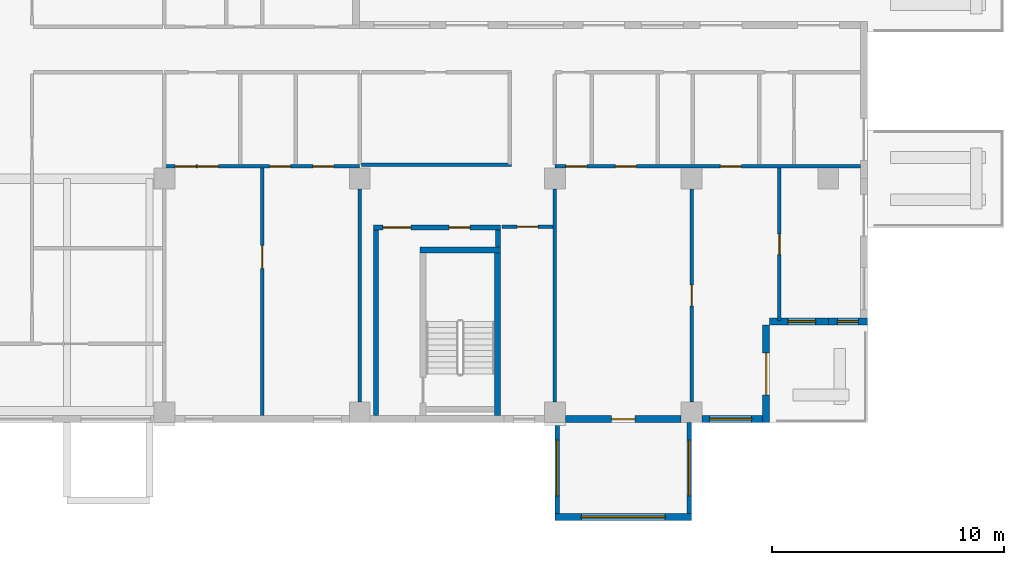
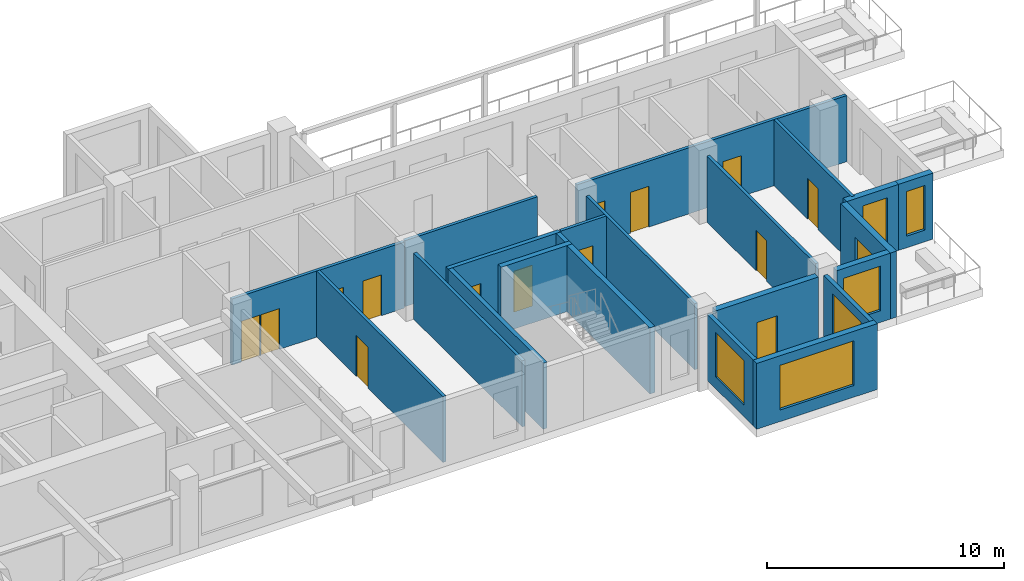
# One storey, part 6 of 15: 22 walls, 15 doors, 6 windows, 21 openings.
"""IFC4 building model written with IfcOpenShell, lengths in metres."""

from ifc_helpers import new_model, si_unit, direction, frame, frame_2d, origin, place, context, subcontext, project, spatial, rectangle, extrude, source, transform, mapped, material, layer, layer_set, type_object, element, fill, save


model = new_model("IFC4")

# Units and contexts
model_context = context("Model", 3, precision=1e-05, world=origin(), true_north=direction((0.0, 1.0)))
body_context = subcontext(model_context, "Body", "Model", "MODEL_VIEW")
ifc_project = project(units=[si_unit("LENGTHUNIT", "METRE"), si_unit("AREAUNIT", "SQUARE_METRE"), si_unit("VOLUMEUNIT", "CUBIC_METRE"), si_unit("PLANEANGLEUNIT", "RADIAN"), si_unit("MASSUNIT", "GRAM", prefix="KILO")], contexts=[model_context])

# Site, building, storey
site_placement = place(None, origin())
site = spatial("IfcSite", under=ifc_project, at=site_placement, CompositionType="ELEMENT")
building_placement = place(site_placement, origin())
building = spatial("IfcBuilding", under=site, at=building_placement, Name="Aurelian Terraces", CompositionType="ELEMENT")
storey_placement = place(building_placement, frame((0.0, 0.0, 177.8)))
storey = spatial("IfcBuildingStorey", under=building, at=storey_placement, Name="L38", CompositionType="ELEMENT", Elevation=177.8)

# Wall, opening, window
ifc_material_1 = material(Name="Concrete fc' 40 MPa", Category="concrete")
ifc_layer_1 = layer(ifc_material_1, 0.2)
ifc_layer_set_1 = layer_set([ifc_layer_1], Name="BOX BEARING WALL 200")
wall_type_1 = type_object("IfcWallType", Name="BOX BEARING WALL 200", PredefinedType="SOLIDWALL", material=ifc_layer_set_1)
wall_1_placement = place(storey_placement, frame((46.3, 0.0, 0.0), z_axis=(0.0, 0.0, 1.0), x_axis=(0.0, -1.0, 0.0)))
wall_1 = element("IfcWall", 1, at=wall_1_placement, inside=storey, type_object=wall_type_1, Name="Box return L38 J51.1", PredefinedType="SOLIDWALL", context=body_context, shape_type="SweptSolid", body=[
    extrude(rectangle(XDim=3.9, YDim=0.2, at=frame_2d((1.95, 0.0))), origin(), (0.0, 0.0, 1.0), 3.39),
])
opening_1_placement = place(wall_1_placement, frame((0.75, 0.0, 0.6)))
opening_1 = element("IfcOpeningElement", 2, at=opening_1_placement, cuts=wall_1, Name="Opening W2423", PredefinedType="OPENING", context=body_context, shape_type="SweptSolid", body=[
    extrude(rectangle(XDim=2.4, YDim=2.3, at=frame_2d((1.2, 1.15))), frame((0.0, 0.11, 0.0), z_axis=(0.0, -1.0, 0.0), x_axis=(1.0, 0.0, 0.0)), (0.0, 0.0, 1.0), 0.22),
])
ifc_material_2 = material(Name="Clear glazing", Category="glass")
window_type_1 = type_object("IfcWindowType", Name="W-2400x2300", PartitioningType="SINGLE_PANEL", PredefinedType="WINDOW", material=ifc_material_2)
shared_shape_1 = source(origin(), body_context, "Body", "SweptSolid", [
    extrude(rectangle(XDim=2.4, YDim=2.3, at=frame_2d((1.2, 1.15))), frame((0.0, 0.03, 0.0), z_axis=(0.0, -1.0, 0.0), x_axis=(1.0, 0.0, 0.0)), (0.0, 0.0, 1.0), 0.06),
])
window_1_placement = place(opening_1_placement, origin())
window_1 = element("IfcWindow", 3, at=window_1_placement, inside=storey, type_object=window_type_1, Name="Window L38 J51-S1", OverallHeight=2.3, OverallWidth=2.4, PartitioningType="SINGLE_PANEL", PredefinedType="WINDOW", context=body_context, shape_type="MappedRepresentation", body=[
    mapped(shared_shape_1, transform((0.0, 0.0, 0.0), scale=1.0)),
])
fill(opening_1, window_1)

ifc_layer_2 = layer(ifc_material_1, 0.3)
ifc_layer_set_2 = layer_set([ifc_layer_2], Name="BOX BEARING WALL 300")
wall_type_2 = type_object("IfcWallType", Name="BOX BEARING WALL 300", PredefinedType="SOLIDWALL", material=ifc_layer_set_2)
wall_2_placement = place(storey_placement, frame((46.2, -4.05, 0.0), z_axis=(0.0, 0.0, 1.0), x_axis=(1.0, 0.0, 0.0)))
wall_2 = element("IfcWall", 4, at=wall_2_placement, inside=storey, type_object=wall_type_2, Name="Box wall L38 J51", PredefinedType="SOLIDWALL", context=body_context, shape_type="SweptSolid", body=[
    extrude(rectangle(XDim=5.88, YDim=0.3, at=frame_2d((2.94, 0.0))), origin(), (0.0, 0.0, 1.0), 3.39),
])
shared_shape_2 = source(origin(), body_context, "Body", "SweptSolid", [
    extrude(rectangle(XDim=3.6, YDim=2.3, at=frame_2d((1.8, 1.15))), frame((0.0, 0.16, 0.0), z_axis=(0.0, -1.0, 0.0), x_axis=(1.0, 0.0, 0.0)), (0.0, 0.0, 1.0), 0.32),
])
opening_2_placement = place(wall_2_placement, frame((1.14, 0.0, 0.6)))
opening_2 = element("IfcOpeningElement", 5, at=opening_2_placement, cuts=wall_2, Name="Opening W3623", PredefinedType="OPENING", context=body_context, shape_type="MappedRepresentation", body=[
    mapped(shared_shape_2, transform((0.0, 0.0, 0.0), scale=1.0)),
])
window_type_2 = type_object("IfcWindowType", Name="W-3600x2300", PartitioningType="SINGLE_PANEL", PredefinedType="WINDOW", material=ifc_material_2)
shared_shape_3 = source(origin(), body_context, "Body", "SweptSolid", [
    extrude(rectangle(XDim=3.6, YDim=2.3, at=frame_2d((1.8, 1.15))), frame((0.0, 0.03, 0.0), z_axis=(0.0, -1.0, 0.0), x_axis=(1.0, 0.0, 0.0)), (0.0, 0.0, 1.0), 0.06),
])
window_2_placement = place(opening_2_placement, origin())
window_2 = element("IfcWindow", 6, at=window_2_placement, inside=storey, type_object=window_type_2, Name="Window L38 J51-F1", OverallHeight=2.3, OverallWidth=3.6, PartitioningType="SINGLE_PANEL", PredefinedType="WINDOW", context=body_context, shape_type="MappedRepresentation", body=[
    mapped(shared_shape_3, transform((0.0, 0.0, 0.0), scale=1.0)),
])
fill(opening_2, window_2)

# Wall
ifc_material_3 = material(Name="Gypsum board on steel studs", Category="steel")
ifc_layer_3 = layer(ifc_material_3, 0.2)
ifc_layer_set_3 = layer_set([ifc_layer_3], Name="Core partition 200")
wall_type_3 = type_object("IfcWallType", Name="Core partition 200", PredefinedType="PARTITIONING", material=ifc_layer_set_3)
wall_3_placement = place(storey_placement, frame((38.5, 0.3, 0.0), z_axis=(0.0, 0.0, 1.0), x_axis=(0.0, 1.0, 0.0)))
element("IfcWall", 7, at=wall_3_placement, inside=storey, type_object=wall_type_3, Name="L38 core wall ST-S2-VW", PredefinedType="PARTITIONING", context=body_context, shape_type="SweptSolid", body=[
    extrude(rectangle(XDim=8.0, YDim=0.2, at=frame_2d((4.0, 0.0))), origin(), (0.0, 0.0, 1.0), 3.4),
])

# Wall, openings, doors
wall_4_placement = place(storey_placement, frame((38.4, 8.4, 0.0), z_axis=(0.0, 0.0, 1.0), x_axis=(1.0, 0.0, 0.0)))
wall_4 = element("IfcWall", 8, at=wall_4_placement, inside=storey, type_object=wall_type_3, Name="L38 core wall ST-S2-BN", PredefinedType="PARTITIONING", context=body_context, shape_type="SweptSolid", body=[
    extrude(rectangle(XDim=5.45, YDim=0.2, at=frame_2d((2.725, 0.0))), origin(), (0.0, 0.0, 1.0), 3.4),
])
shared_shape_4 = source(origin(), body_context, "Body", "SweptSolid", [
    extrude(rectangle(XDim=1.2, YDim=2.1, at=frame_2d((0.6, 1.05))), frame((0.0, 0.11, 0.0), z_axis=(0.0, -1.0, 0.0), x_axis=(1.0, 0.0, 0.0)), (0.0, 0.0, 1.0), 0.22),
])
opening_3_placement = place(wall_4_placement, frame((0.4, 0.0, 0.0)))
opening_3 = element("IfcOpeningElement", 9, at=opening_3_placement, cuts=wall_4, Name="Opening 64116", PredefinedType="OPENING", context=body_context, shape_type="MappedRepresentation", body=[
    mapped(shared_shape_4, transform((0.0, 0.0, 0.0), scale=1.0)),
])
shared_shape_5 = source(origin(), body_context, "Body", "SweptSolid", [
    extrude(rectangle(XDim=0.9, YDim=2.1, at=frame_2d((0.45, 1.05))), frame((0.0, 0.11, 0.0), z_axis=(0.0, -1.0, 0.0), x_axis=(1.0, 0.0, 0.0)), (0.0, 0.0, 1.0), 0.22),
])
opening_4_placement = place(wall_4_placement, frame((3.25, 0.0, 0.0)))
opening_4 = element("IfcOpeningElement", 10, at=opening_4_placement, cuts=wall_4, Name="Opening 64117", PredefinedType="OPENING", context=body_context, shape_type="MappedRepresentation", body=[
    mapped(shared_shape_5, transform((0.0, 0.0, 0.0), scale=1.0)),
])
ifc_material_4 = material(Name="Steel door leaf", Category="steel")
door_type_1 = type_object("IfcDoorType", Name="Core riser door 900x2100", OperationType="SINGLE_SWING_LEFT", PredefinedType="DOOR", material=ifc_material_4)
shared_shape_6 = source(origin(), body_context, "Body", "SweptSolid", [
    extrude(rectangle(XDim=0.9, YDim=2.1, at=frame_2d((0.45, 1.05))), frame((0.0, 0.025, 0.0), z_axis=(0.0, -1.0, 0.0), x_axis=(1.0, 0.0, 0.0)), (0.0, 0.0, 1.0), 0.05),
])
door_1_placement = place(opening_4_placement, origin())
door_1 = element("IfcDoor", 11, at=door_1_placement, inside=storey, type_object=door_type_1, Name="Riser door 64117", OperationType="SINGLE_SWING_LEFT", OverallHeight=2.1, OverallWidth=0.9, PredefinedType="DOOR", context=body_context, shape_type="MappedRepresentation", body=[
    mapped(shared_shape_6, transform((0.0, 0.0, 0.0), scale=1.0)),
])
fill(opening_4, door_1)
door_type_2 = type_object("IfcDoorType", Name="Core fire door 1200x2100 right", OperationType="SINGLE_SWING_RIGHT", PredefinedType="DOOR", material=ifc_material_4)
shared_shape_7 = source(origin(), body_context, "Body", "SweptSolid", [
    extrude(rectangle(XDim=1.2, YDim=2.1, at=frame_2d((0.6, 1.05))), frame((0.0, 0.025, 0.0), z_axis=(0.0, -1.0, 0.0), x_axis=(1.0, 0.0, 0.0)), (0.0, 0.0, 1.0), 0.05),
])
door_2_placement = place(opening_3_placement, origin())
door_2 = element("IfcDoor", 12, at=door_2_placement, inside=storey, type_object=door_type_2, Name="Vestibule door 64116", OperationType="SINGLE_SWING_RIGHT", OverallHeight=2.1, OverallWidth=1.2, PredefinedType="DOOR", context=body_context, shape_type="MappedRepresentation", body=[
    mapped(shared_shape_7, transform((0.0, 0.0, 0.0), scale=1.0)),
])
fill(opening_3, door_2)

# Wall
wall_5_placement = place(storey_placement, frame((43.75, 7.55, 0.0), z_axis=(0.0, 0.0, 1.0), x_axis=(0.0, 1.0, 0.0)))
element("IfcWall", 13, at=wall_5_placement, inside=storey, type_object=wall_type_3, Name="L38 core wall ST-S2-RE", PredefinedType="PARTITIONING", context=body_context, shape_type="SweptSolid", body=[
    extrude(rectangle(XDim=0.75, YDim=0.2, at=frame_2d((0.375, 0.0))), origin(), (0.0, 0.0, 1.0), 3.4),
])

# Wall, opening, door
ifc_material_5 = material(Name="Terracotta rainscreen cladding", Category="masonry")
ifc_layer_4 = layer(ifc_material_5, 0.3)
ifc_layer_set_4 = layer_set([ifc_layer_4], Name="EW-300")
wall_type_4 = type_object("IfcWallType", Name="EW-300", PredefinedType="STANDARD", material=ifc_layer_set_4)
wall_6_placement = place(storey_placement, frame((46.65, 0.15, 0.0), z_axis=(0.0, 0.0, 1.0), x_axis=(1.0, 0.0, 0.0)))
wall_6 = element("IfcWall", 14, at=wall_6_placement, inside=storey, type_object=wall_type_4, Name="External wall L38 F01.7", PredefinedType="STANDARD", context=body_context, shape_type="SweptSolid", body=[
    extrude(rectangle(XDim=4.98, YDim=0.3, at=frame_2d((2.49, 0.0))), origin(), (0.0, 0.0, 1.0), 3.4),
])
shared_shape_8 = source(origin(), body_context, "Body", "SweptSolid", [
    extrude(rectangle(XDim=1.0, YDim=2.1, at=frame_2d((0.5, 1.05))), frame((0.0, 0.16, 0.0), z_axis=(0.0, -1.0, 0.0), x_axis=(1.0, 0.0, 0.0)), (0.0, 0.0, 1.0), 0.32),
])
opening_5_placement = place(wall_6_placement, frame((1.99, 0.0, 0.0)))
opening_5 = element("IfcOpeningElement", 15, at=opening_5_placement, cuts=wall_6, Name="Opening 838001", PredefinedType="OPENING", context=body_context, shape_type="MappedRepresentation", body=[
    mapped(shared_shape_8, transform((0.0, 0.0, 0.0), scale=1.0)),
])
ifc_material_6 = material(Name="Timber door leaf", Category="wood")
door_type_3 = type_object("IfcDoorType", Name="Room door 1000x2100 left", OperationType="SINGLE_SWING_LEFT", PredefinedType="DOOR", material=ifc_material_6)
shared_shape_9 = source(origin(), body_context, "Body", "SweptSolid", [
    extrude(rectangle(XDim=1.0, YDim=2.1, at=frame_2d((0.5, 1.05))), frame((0.0, 0.025, 0.0), z_axis=(0.0, -1.0, 0.0), x_axis=(1.0, 0.0, 0.0)), (0.0, 0.0, 1.0), 0.05),
])
door_3_placement = place(opening_5_placement, origin())
door_3 = element("IfcDoor", 16, at=door_3_placement, inside=storey, type_object=door_type_3, Name="Door 838001", OperationType="SINGLE_SWING_LEFT", OverallHeight=2.1, OverallWidth=1.0, PredefinedType="DOOR", context=body_context, shape_type="MappedRepresentation", body=[
    mapped(shared_shape_9, transform((0.0, 0.0, 0.0), scale=1.0)),
])
fill(opening_5, door_3)

# Wall, opening, window
wall_7_placement = place(storey_placement, frame((52.53, 0.15, 0.0), z_axis=(0.0, 0.0, 1.0), x_axis=(1.0, 0.0, 0.0)))
wall_7 = element("IfcWall", 17, at=wall_7_placement, inside=storey, type_object=wall_type_4, Name="External wall L38 F01.8", PredefinedType="STANDARD", context=body_context, shape_type="SweptSolid", body=[
    extrude(rectangle(XDim=2.91, YDim=0.3, at=frame_2d((1.455, 0.0))), origin(), (0.0, 0.0, 1.0), 3.4),
])
shared_shape_10 = source(origin(), body_context, "Body", "SweptSolid", [
    extrude(rectangle(XDim=1.8, YDim=2.3, at=frame_2d((0.9, 1.15))), frame((0.0, 0.16, 0.0), z_axis=(0.0, -1.0, 0.0), x_axis=(1.0, 0.0, 0.0)), (0.0, 0.0, 1.0), 0.32),
])
opening_6_placement = place(wall_7_placement, frame((0.33, 0.0, 0.6)))
opening_6 = element("IfcOpeningElement", 18, at=opening_6_placement, cuts=wall_7, Name="Opening W1823", PredefinedType="OPENING", context=body_context, shape_type="MappedRepresentation", body=[
    mapped(shared_shape_10, transform((0.0, 0.0, 0.0), scale=1.0)),
])
window_type_3 = type_object("IfcWindowType", Name="W-1800x2300", PartitioningType="SINGLE_PANEL", PredefinedType="WINDOW", material=ifc_material_2)
shared_shape_11 = source(origin(), body_context, "Body", "SweptSolid", [
    extrude(rectangle(XDim=1.8, YDim=2.3, at=frame_2d((0.9, 1.15))), frame((0.0, 0.03, 0.0), z_axis=(0.0, -1.0, 0.0), x_axis=(1.0, 0.0, 0.0)), (0.0, 0.0, 1.0), 0.06),
])
window_3_placement = place(opening_6_placement, origin())
window_3 = element("IfcWindow", 19, at=window_3_placement, inside=storey, type_object=window_type_3, Name="Window L38 L38-F01-08-0", OverallHeight=2.3, OverallWidth=1.8, PartitioningType="SINGLE_PANEL", PredefinedType="WINDOW", context=body_context, shape_type="MappedRepresentation", body=[
    mapped(shared_shape_11, transform((0.0, 0.0, 0.0), scale=1.0)),
])
fill(opening_6, window_3)

# Wall, opening, door
wall_8_placement = place(storey_placement, frame((55.29, 0.0, 0.0), z_axis=(0.0, 0.0, 1.0), x_axis=(0.0, 1.0, 0.0)))
wall_8 = element("IfcWall", 20, at=wall_8_placement, inside=storey, type_object=wall_type_4, Name="External wall L38 F02.9", PredefinedType="STANDARD", context=body_context, shape_type="SweptSolid", body=[
    extrude(rectangle(XDim=4.2, YDim=0.3, at=frame_2d((2.1, 0.0))), origin(), (0.0, 0.0, 1.0), 3.4),
])
shared_shape_12 = source(origin(), body_context, "Body", "SweptSolid", [
    extrude(rectangle(XDim=1.8, YDim=2.4, at=frame_2d((0.9, 1.2))), frame((0.0, 0.16, 0.0), z_axis=(0.0, -1.0, 0.0), x_axis=(1.0, 0.0, 0.0)), (0.0, 0.0, 1.0), 0.32),
])
opening_7_placement = place(wall_8_placement, frame((1.2, 0.0, 0.0)))
opening_7 = element("IfcOpeningElement", 21, at=opening_7_placement, cuts=wall_8, Name="Opening 83802", PredefinedType="OPENING", context=body_context, shape_type="MappedRepresentation", body=[
    mapped(shared_shape_12, transform((0.0, 0.0, 0.0), scale=1.0)),
])
door_type_4 = type_object("IfcDoorType", Name="BD-1800x2400", OperationType="SLIDING_TO_LEFT", PredefinedType="DOOR", material=ifc_material_2)
shared_shape_13 = source(origin(), body_context, "Body", "SweptSolid", [
    extrude(rectangle(XDim=1.8, YDim=2.4, at=frame_2d((0.9, 1.2))), frame((0.0, 0.025, 0.0), z_axis=(0.0, -1.0, 0.0), x_axis=(1.0, 0.0, 0.0)), (0.0, 0.0, 1.0), 0.05),
])
door_4_placement = place(opening_7_placement, origin())
door_4 = element("IfcDoor", 22, at=door_4_placement, inside=storey, type_object=door_type_4, Name="Terrace door L38 L38-F02-09.1", OperationType="SLIDING_TO_LEFT", OverallHeight=2.4, OverallWidth=1.8, PredefinedType="DOOR", context=body_context, shape_type="MappedRepresentation", body=[
    mapped(shared_shape_13, transform((0.0, 0.0, 0.0), scale=1.0)),
])
fill(opening_7, door_4)

# Wall, opening, window
wall_9_placement = place(storey_placement, frame((55.44, 4.35, 0.0), z_axis=(0.0, 0.0, 1.0), x_axis=(1.0, 0.0, 0.0)))
wall_9 = element("IfcWall", 23, at=wall_9_placement, inside=storey, type_object=wall_type_4, Name="External wall L38 F03.10", PredefinedType="STANDARD", context=body_context, shape_type="SweptSolid", body=[
    extrude(rectangle(XDim=2.52, YDim=0.3, at=frame_2d((1.26, 0.0))), origin(), (0.0, 0.0, 1.0), 3.4),
])
shared_shape_14 = source(origin(), body_context, "Body", "SweptSolid", [
    extrude(rectangle(XDim=1.2, YDim=2.3, at=frame_2d((0.6, 1.15))), frame((0.0, 0.16, 0.0), z_axis=(0.0, -1.0, 0.0), x_axis=(1.0, 0.0, 0.0)), (0.0, 0.0, 1.0), 0.32),
])
opening_8_placement = place(wall_9_placement, frame((0.7775, 0.0, 0.6)))
opening_8 = element("IfcOpeningElement", 24, at=opening_8_placement, cuts=wall_9, Name="Opening W1223", PredefinedType="OPENING", context=body_context, shape_type="MappedRepresentation", body=[
    mapped(shared_shape_14, transform((0.0, 0.0, 0.0), scale=1.0)),
])
window_type_4 = type_object("IfcWindowType", Name="W-1200x2300", PartitioningType="SINGLE_PANEL", PredefinedType="WINDOW", material=ifc_material_2)
shared_shape_15 = source(origin(), body_context, "Body", "SweptSolid", [
    extrude(rectangle(XDim=1.2, YDim=2.3, at=frame_2d((0.6, 1.15))), frame((0.0, 0.03, 0.0), z_axis=(0.0, -1.0, 0.0), x_axis=(1.0, 0.0, 0.0)), (0.0, 0.0, 1.0), 0.06),
])
window_4_placement = place(opening_8_placement, origin())
window_4 = element("IfcWindow", 25, at=window_4_placement, inside=storey, type_object=window_type_4, Name="Window L38 L38-F03-10-P0", OverallHeight=2.3, OverallWidth=1.2, PartitioningType="SINGLE_PANEL", PredefinedType="WINDOW", context=body_context, shape_type="MappedRepresentation", body=[
    mapped(shared_shape_15, transform((0.0, 0.0, 0.0), scale=1.0)),
])
fill(opening_8, window_4)

wall_10_placement = place(storey_placement, frame((57.96, 4.35, 0.0), z_axis=(0.0, 0.0, 1.0), x_axis=(1.0, 0.0, 0.0)))
wall_10 = element("IfcWall", 26, at=wall_10_placement, inside=storey, type_object=wall_type_4, Name="External wall L38 F03.11", PredefinedType="STANDARD", context=body_context, shape_type="SweptSolid", body=[
    extrude(rectangle(XDim=1.68, YDim=0.3, at=frame_2d((0.84, 0.0))), origin(), (0.0, 0.0, 1.0), 3.4),
])
shared_shape_16 = source(origin(), body_context, "Body", "SweptSolid", [
    extrude(rectangle(XDim=0.9, YDim=2.3, at=frame_2d((0.45, 1.15))), frame((0.0, 0.16, 0.0), z_axis=(0.0, -1.0, 0.0), x_axis=(1.0, 0.0, 0.0)), (0.0, 0.0, 1.0), 0.32),
])
opening_9_placement = place(wall_10_placement, frame((0.39, 0.0, 0.6)))
opening_9 = element("IfcOpeningElement", 27, at=opening_9_placement, cuts=wall_10, Name="Opening W0923", PredefinedType="OPENING", context=body_context, shape_type="MappedRepresentation", body=[
    mapped(shared_shape_16, transform((0.0, 0.0, 0.0), scale=1.0)),
])
window_type_5 = type_object("IfcWindowType", Name="W-900x2300", PartitioningType="SINGLE_PANEL", PredefinedType="WINDOW", material=ifc_material_2)
shared_shape_17 = source(origin(), body_context, "Body", "SweptSolid", [
    extrude(rectangle(XDim=0.9, YDim=2.3, at=frame_2d((0.45, 1.15))), frame((0.0, 0.03, 0.0), z_axis=(0.0, -1.0, 0.0), x_axis=(1.0, 0.0, 0.0)), (0.0, 0.0, 1.0), 0.06),
])
window_5_placement = place(opening_9_placement, origin())
window_5 = element("IfcWindow", 28, at=window_5_placement, inside=storey, type_object=window_type_5, Name="Window L38 L38-F03-11-P0", OverallHeight=2.3, OverallWidth=0.9, PartitioningType="SINGLE_PANEL", PredefinedType="WINDOW", context=body_context, shape_type="MappedRepresentation", body=[
    mapped(shared_shape_17, transform((0.0, 0.0, 0.0), scale=1.0)),
])
fill(opening_9, window_5)

# Walls
ifc_layer_5 = layer(ifc_material_3, 0.15)
ifc_layer_set_5 = layer_set([ifc_layer_5], Name="Fire partition 150")
wall_type_5 = type_object("IfcWallType", Name="Fire partition 150", PredefinedType="PARTITIONING", material=ifc_layer_set_5)
wall_11_placement = place(storey_placement, frame((37.8, 0.899, 0.0), z_axis=(0.0, 0.0, 1.0), x_axis=(0.0, 1.0, 0.0)))
element("IfcWall", 29, at=wall_11_placement, inside=storey, type_object=wall_type_5, Name="Party wall", PredefinedType="PARTITIONING", context=body_context, shape_type="SweptSolid", body=[
    extrude(rectangle(XDim=9.152, YDim=0.15, at=frame_2d((4.576, 0.0))), origin(), (0.0, 0.0, 1.0), 3.4),
])
ifc_layer_6 = layer(ifc_material_3, 0.15)
ifc_layer_set_6 = layer_set([ifc_layer_6], Name="Partition 150")
wall_type_6 = type_object("IfcWallType", Name="Partition 150", PredefinedType="PARTITIONING", material=ifc_layer_set_6)
wall_12_placement = place(storey_placement, frame((37.875, 11.1, 0.0), z_axis=(0.0, 0.0, 1.0), x_axis=(1.0, 0.0, 0.0)))
element("IfcWall", 30, at=wall_12_placement, inside=storey, type_object=wall_type_6, Name="Partition", PredefinedType="PARTITIONING", context=body_context, shape_type="SweptSolid", body=[
    extrude(rectangle(XDim=6.45, YDim=0.15, at=frame_2d((3.225, 0.0))), origin(), (0.0, 0.0, 1.0), 3.4),
])

# Wall, opening, door
wall_13_placement = place(storey_placement, frame((46.125, 8.425, 0.0), z_axis=(0.0, 0.0, 1.0), x_axis=(-1.0, 0.0, 0.0)))
wall_13 = element("IfcWall", 31, at=wall_13_placement, inside=storey, type_object=wall_type_6, Name="Partition", PredefinedType="PARTITIONING", context=body_context, shape_type="SweptSolid", body=[
    extrude(rectangle(XDim=2.2, YDim=0.15, at=frame_2d((1.1, 0.0))), origin(), (0.0, 0.0, 1.0), 3.4),
])
shared_shape_18 = source(origin(), body_context, "Body", "SweptSolid", [
    extrude(rectangle(XDim=0.9, YDim=2.1, at=frame_2d((0.45, 1.05))), frame((0.0, 0.085, 0.0), z_axis=(0.0, -1.0, 0.0), x_axis=(1.0, 0.0, 0.0)), (0.0, 0.0, 1.0), 0.17),
])
opening_10_placement = place(wall_13_placement, frame((0.65, 0.0, 0.0)))
opening_10 = element("IfcOpeningElement", 32, at=opening_10_placement, cuts=wall_13, Name="Opening 738006", PredefinedType="OPENING", context=body_context, shape_type="MappedRepresentation", body=[
    mapped(shared_shape_18, transform((0.0, 0.0, 0.0), scale=1.0)),
])
door_type_5 = type_object("IfcDoorType", Name="Room door 900x2100 right", OperationType="SINGLE_SWING_RIGHT", PredefinedType="DOOR", material=ifc_material_6)
door_5_placement = place(opening_10_placement, origin())
door_5 = element("IfcDoor", 33, at=door_5_placement, inside=storey, type_object=door_type_5, Name="Door 738006", OperationType="SINGLE_SWING_RIGHT", OverallHeight=2.1, OverallWidth=0.9, PredefinedType="DOOR", context=body_context, shape_type="MappedRepresentation", body=[
    mapped(shared_shape_6, transform((0.0, 0.0, 0.0), scale=1.0)),
])
fill(opening_10, door_5)

wall_14_placement = place(storey_placement, frame((33.6, 0.3, 0.0), z_axis=(0.0, 0.0, 1.0), x_axis=(0.0, 1.0, 0.0)))
wall_14 = element("IfcWall", 34, at=wall_14_placement, inside=storey, type_object=wall_type_6, Name="Partition", PredefinedType="PARTITIONING", context=body_context, shape_type="SweptSolid", body=[
    extrude(rectangle(XDim=10.65, YDim=0.15, at=frame_2d((5.325, 0.0))), origin(), (0.0, 0.0, 1.0), 3.4),
])
shared_shape_19 = source(origin(), body_context, "Body", "SweptSolid", [
    extrude(rectangle(XDim=1.0, YDim=2.1, at=frame_2d((0.5, 1.05))), frame((0.0, 0.085, 0.0), z_axis=(0.0, -1.0, 0.0), x_axis=(1.0, 0.0, 0.0)), (0.0, 0.0, 1.0), 0.17),
])
opening_11_placement = place(wall_14_placement, frame((6.325, 0.0, 0.0)))
opening_11 = element("IfcOpeningElement", 35, at=opening_11_placement, cuts=wall_14, Name="Opening 738010", PredefinedType="OPENING", context=body_context, shape_type="MappedRepresentation", body=[
    mapped(shared_shape_19, transform((0.0, 0.0, 0.0), scale=1.0)),
])
door_type_6 = type_object("IfcDoorType", Name="Room door 1000x2100 right", OperationType="SINGLE_SWING_RIGHT", PredefinedType="DOOR", material=ifc_material_6)
door_6_placement = place(opening_11_placement, origin())
door_6 = element("IfcDoor", 36, at=door_6_placement, inside=storey, type_object=door_type_6, Name="Door 738010", OperationType="SINGLE_SWING_RIGHT", OverallHeight=2.1, OverallWidth=1.0, PredefinedType="DOOR", context=body_context, shape_type="MappedRepresentation", body=[
    mapped(shared_shape_9, transform((0.0, 0.0, 0.0), scale=1.0)),
])
fill(opening_11, door_6)

# Wall, openings, doors
wall_15_placement = place(storey_placement, frame((37.8, 11.025, 0.0), z_axis=(0.0, 0.0, 1.0), x_axis=(-1.0, 0.0, 0.0)))
wall_15 = element("IfcWall", 37, at=wall_15_placement, inside=storey, type_object=wall_type_6, Name="Partition", PredefinedType="PARTITIONING", context=body_context, shape_type="SweptSolid", body=[
    extrude(rectangle(XDim=8.4, YDim=0.15, at=frame_2d((4.2, 0.0))), origin(), (0.0, 0.0, 1.0), 3.4),
])
opening_12_placement = place(wall_15_placement, frame((6.082, 0.0, 0.0)))
opening_12 = element("IfcOpeningElement", 38, at=opening_12_placement, cuts=wall_15, Name="Opening 738008", PredefinedType="OPENING", context=body_context, shape_type="MappedRepresentation", body=[
    mapped(shared_shape_18, transform((0.0, 0.0, 0.0), scale=1.0)),
])
opening_13_placement = place(wall_15_placement, frame((7.04, 0.0, 0.0)))
opening_13 = element("IfcOpeningElement", 39, at=opening_13_placement, cuts=wall_15, Name="Opening 738009", PredefinedType="OPENING", context=body_context, shape_type="MappedRepresentation", body=[
    mapped(shared_shape_18, transform((0.0, 0.0, 0.0), scale=1.0)),
])
opening_14_placement = place(wall_15_placement, frame((2.9753, 0.0, 0.0)))
opening_14 = element("IfcOpeningElement", 40, at=opening_14_placement, cuts=wall_15, Name="Opening 738011", PredefinedType="OPENING", context=body_context, shape_type="MappedRepresentation", body=[
    mapped(shared_shape_18, transform((0.0, 0.0, 0.0), scale=1.0)),
])
opening_15_placement = place(wall_15_placement, frame((1.1128, 0.0, 0.0)))
opening_15 = element("IfcOpeningElement", 41, at=opening_15_placement, cuts=wall_15, Name="Opening 738012", PredefinedType="OPENING", context=body_context, shape_type="MappedRepresentation", body=[
    mapped(shared_shape_18, transform((0.0, 0.0, 0.0), scale=1.0)),
])
door_7_placement = place(opening_12_placement, origin())
door_7 = element("IfcDoor", 42, at=door_7_placement, inside=storey, type_object=door_type_5, Name="Door 738008", OperationType="SINGLE_SWING_RIGHT", OverallHeight=2.1, OverallWidth=0.9, PredefinedType="DOOR", context=body_context, shape_type="MappedRepresentation", body=[
    mapped(shared_shape_6, transform((0.0, 0.0, 0.0), scale=1.0)),
])
fill(opening_12, door_7)
door_type_7 = type_object("IfcDoorType", Name="Room door 900x2100 left", OperationType="SINGLE_SWING_LEFT", PredefinedType="DOOR", material=ifc_material_6)
door_8_placement = place(opening_13_placement, origin())
door_8 = element("IfcDoor", 43, at=door_8_placement, inside=storey, type_object=door_type_7, Name="Door 738009", OperationType="SINGLE_SWING_LEFT", OverallHeight=2.1, OverallWidth=0.9, PredefinedType="DOOR", context=body_context, shape_type="MappedRepresentation", body=[
    mapped(shared_shape_6, transform((0.0, 0.0, 0.0), scale=1.0)),
])
fill(opening_13, door_8)
door_9_placement = place(opening_14_placement, origin())
door_9 = element("IfcDoor", 44, at=door_9_placement, inside=storey, type_object=door_type_7, Name="Door 738011", OperationType="SINGLE_SWING_LEFT", OverallHeight=2.1, OverallWidth=0.9, PredefinedType="DOOR", context=body_context, shape_type="MappedRepresentation", body=[
    mapped(shared_shape_6, transform((0.0, 0.0, 0.0), scale=1.0)),
])
fill(opening_14, door_9)
door_10_placement = place(opening_15_placement, origin())
door_10 = element("IfcDoor", 45, at=door_10_placement, inside=storey, type_object=door_type_5, Name="Door 738012", OperationType="SINGLE_SWING_RIGHT", OverallHeight=2.1, OverallWidth=0.9, PredefinedType="DOOR", context=body_context, shape_type="MappedRepresentation", body=[
    mapped(shared_shape_6, transform((0.0, 0.0, 0.0), scale=1.0)),
])
fill(opening_15, door_10)

# Wall, opening, door
wall_16_placement = place(storey_placement, frame((55.86, 4.405, 0.0), z_axis=(0.0, 0.0, 1.0), x_axis=(0.0, 1.0, 0.0)))
wall_16 = element("IfcWall", 46, at=wall_16_placement, inside=storey, type_object=wall_type_6, Name="Partition", PredefinedType="PARTITIONING", context=body_context, shape_type="SweptSolid", body=[
    extrude(rectangle(XDim=6.545, YDim=0.15, at=frame_2d((3.2725, 0.0))), origin(), (0.0, 0.0, 1.0), 3.4),
])
opening_16_placement = place(wall_16_placement, frame((2.8225, 0.0, 0.0)))
opening_16 = element("IfcOpeningElement", 47, at=opening_16_placement, cuts=wall_16, Name="Opening 738043", PredefinedType="OPENING", context=body_context, shape_type="MappedRepresentation", body=[
    mapped(shared_shape_18, transform((0.0, 0.0, 0.0), scale=1.0)),
])
door_11_placement = place(opening_16_placement, origin())
door_11 = element("IfcDoor", 48, at=door_11_placement, inside=storey, type_object=door_type_7, Name="Door 738043", OperationType="SINGLE_SWING_LEFT", OverallHeight=2.1, OverallWidth=0.9, PredefinedType="DOOR", context=body_context, shape_type="MappedRepresentation", body=[
    mapped(shared_shape_6, transform((0.0, 0.0, 0.0), scale=1.0)),
])
fill(opening_16, door_11)

# Wall, openings, doors
wall_17_placement = place(storey_placement, frame((59.34, 11.025, 0.0), z_axis=(0.0, 0.0, 1.0), x_axis=(-1.0, 0.0, 0.0)))
wall_17 = element("IfcWall", 49, at=wall_17_placement, inside=storey, type_object=wall_type_6, Name="Partition", PredefinedType="PARTITIONING", context=body_context, shape_type="SweptSolid", body=[
    extrude(rectangle(XDim=13.14, YDim=0.15, at=frame_2d((6.57, 0.0))), origin(), (0.0, 0.0, 1.0), 3.4),
])
opening_17_placement = place(wall_17_placement, frame((11.765, 0.0, 0.0)))
opening_17 = element("IfcOpeningElement", 50, at=opening_17_placement, cuts=wall_17, Name="Opening 738014", PredefinedType="OPENING", context=body_context, shape_type="MappedRepresentation", body=[
    mapped(shared_shape_18, transform((0.0, 0.0, 0.0), scale=1.0)),
])
opening_18_placement = place(wall_17_placement, frame((9.6375, 0.0, 0.0)))
opening_18 = element("IfcOpeningElement", 51, at=opening_18_placement, cuts=wall_17, Name="Opening 738015", PredefinedType="OPENING", context=body_context, shape_type="MappedRepresentation", body=[
    mapped(shared_shape_18, transform((0.0, 0.0, 0.0), scale=1.0)),
])
opening_19_placement = place(wall_17_placement, frame((5.12, 0.0, 0.0)))
opening_19 = element("IfcOpeningElement", 52, at=opening_19_placement, cuts=wall_17, Name="Opening 738017", PredefinedType="OPENING", context=body_context, shape_type="MappedRepresentation", body=[
    mapped(shared_shape_18, transform((0.0, 0.0, 0.0), scale=1.0)),
])
door_12_placement = place(opening_17_placement, origin())
door_12 = element("IfcDoor", 53, at=door_12_placement, inside=storey, type_object=door_type_5, Name="Door 738014", OperationType="SINGLE_SWING_RIGHT", OverallHeight=2.1, OverallWidth=0.9, PredefinedType="DOOR", context=body_context, shape_type="MappedRepresentation", body=[
    mapped(shared_shape_6, transform((0.0, 0.0, 0.0), scale=1.0)),
])
fill(opening_17, door_12)
door_13_placement = place(opening_18_placement, origin())
door_13 = element("IfcDoor", 54, at=door_13_placement, inside=storey, type_object=door_type_7, Name="Door 738015", OperationType="SINGLE_SWING_LEFT", OverallHeight=2.1, OverallWidth=0.9, PredefinedType="DOOR", context=body_context, shape_type="MappedRepresentation", body=[
    mapped(shared_shape_6, transform((0.0, 0.0, 0.0), scale=1.0)),
])
fill(opening_18, door_13)
door_14_placement = place(opening_19_placement, origin())
door_14 = element("IfcDoor", 55, at=door_14_placement, inside=storey, type_object=door_type_5, Name="Door 738017", OperationType="SINGLE_SWING_RIGHT", OverallHeight=2.1, OverallWidth=0.9, PredefinedType="DOOR", context=body_context, shape_type="MappedRepresentation", body=[
    mapped(shared_shape_6, transform((0.0, 0.0, 0.0), scale=1.0)),
])
fill(opening_19, door_14)

# Wall
ifc_layer_7 = layer(ifc_material_1, 0.25)
ifc_layer_set_7 = layer_set([ifc_layer_7], Name="Stair enclosure wall 250")
wall_type_7 = type_object("IfcWallType", Name="Stair enclosure wall 250", PredefinedType="SOLIDWALL", material=ifc_layer_set_7)
wall_18_placement = place(storey_placement, frame((40.4, 7.425, 0.0), z_axis=(0.0, 0.0, 1.0), x_axis=(1.0, 0.0, 0.0)))
element("IfcWall", 56, at=wall_18_placement, inside=storey, type_object=wall_type_7, Name="L38 core wall ST-S2-N", PredefinedType="SOLIDWALL", context=body_context, shape_type="SweptSolid", body=[
    extrude(rectangle(XDim=3.45, YDim=0.25, at=frame_2d((1.725, 0.0))), origin(), (0.0, 0.0, 1.0), 3.4),
])

# Wall, opening, window
shared_shape_20 = source(origin(), body_context, "Body", "SweptSolid", [
    extrude(rectangle(XDim=3.9, YDim=0.2, at=frame_2d((1.95, 0.0))), origin(), (0.0, 0.0, 1.0), 3.39),
])
wall_19_placement = place(storey_placement, frame((51.98, 0.0, 0.0), z_axis=(0.0, 0.0, 1.0), x_axis=(0.0, -1.0, 0.0)))
wall_19 = element("IfcWall", 57, at=wall_19_placement, inside=storey, type_object=wall_type_1, Name="Box return L38 J51.2", PredefinedType="SOLIDWALL", context=body_context, shape_type="MappedRepresentation", body=[
    mapped(shared_shape_20, transform((0.0, 0.0, 0.0), scale=1.0)),
])
shared_shape_21 = source(origin(), body_context, "Body", "SweptSolid", [
    extrude(rectangle(XDim=2.4, YDim=2.3, at=frame_2d((1.2, 1.15))), frame((0.0, 0.11, 0.0), z_axis=(0.0, -1.0, 0.0), x_axis=(1.0, 0.0, 0.0)), (0.0, 0.0, 1.0), 0.22),
])
opening_20_placement = place(wall_19_placement, frame((0.75, 0.0, 0.6)))
opening_20 = element("IfcOpeningElement", 58, at=opening_20_placement, cuts=wall_19, Name="Opening W2423", PredefinedType="OPENING", context=body_context, shape_type="MappedRepresentation", body=[
    mapped(shared_shape_21, transform((0.0, 0.0, 0.0), scale=1.0)),
])
window_6_placement = place(opening_20_placement, origin())
window_6 = element("IfcWindow", 59, at=window_6_placement, inside=storey, type_object=window_type_1, Name="Window L38 J51-S2", OverallHeight=2.3, OverallWidth=2.4, PartitioningType="SINGLE_PANEL", PredefinedType="WINDOW", context=body_context, shape_type="MappedRepresentation", body=[
    mapped(shared_shape_1, transform((0.0, 0.0, 0.0), scale=1.0)),
])
fill(opening_20, window_6)

# Wall
shared_shape_22 = source(origin(), body_context, "Body", "SweptSolid", [
    extrude(rectangle(XDim=7.0, YDim=0.25, at=frame_2d((3.5, 0.0))), origin(), (0.0, 0.0, 1.0), 3.4),
])
wall_20_placement = place(storey_placement, frame((43.725, 0.3, 0.0), z_axis=(0.0, 0.0, 1.0), x_axis=(0.0, 1.0, 0.0)))
element("IfcWall", 60, at=wall_20_placement, inside=storey, type_object=wall_type_7, Name="L38 core wall ST-S2-E", PredefinedType="SOLIDWALL", context=body_context, shape_type="MappedRepresentation", body=[
    mapped(shared_shape_22, transform((0.0, 0.0, 0.0), scale=1.0)),
])

# Wall, opening, door
shared_shape_23 = source(origin(), body_context, "Body", "SweptSolid", [
    extrude(rectangle(XDim=9.152, YDim=0.15, at=frame_2d((4.576, 0.0))), origin(), (0.0, 0.0, 1.0), 3.4),
])
wall_21_placement = place(storey_placement, frame((52.08, 0.899, 0.0), z_axis=(0.0, 0.0, 1.0), x_axis=(0.0, 1.0, 0.0)))
wall_21 = element("IfcWall", 61, at=wall_21_placement, inside=storey, type_object=wall_type_6, Name="Partition", PredefinedType="PARTITIONING", context=body_context, shape_type="MappedRepresentation", body=[
    mapped(shared_shape_23, transform((0.0, 0.0, 0.0), scale=1.0)),
])
opening_21_placement = place(wall_21_placement, frame((4.126, 0.0, 0.0)))
opening_21 = element("IfcOpeningElement", 62, at=opening_21_placement, cuts=wall_21, Name="Opening 738046", PredefinedType="OPENING", context=body_context, shape_type="MappedRepresentation", body=[
    mapped(shared_shape_18, transform((0.0, 0.0, 0.0), scale=1.0)),
])
door_type_8 = type_object("IfcDoorType", Name="Entrance fire door 900x2100 left", OperationType="SINGLE_SWING_LEFT", PredefinedType="DOOR", material=ifc_material_4)
door_15_placement = place(opening_21_placement, origin())
door_15 = element("IfcDoor", 63, at=door_15_placement, inside=storey, type_object=door_type_8, Name="Door 738046", OperationType="SINGLE_SWING_LEFT", OverallHeight=2.1, OverallWidth=0.9, PredefinedType="DOOR", context=body_context, shape_type="MappedRepresentation", body=[
    mapped(shared_shape_6, transform((0.0, 0.0, 0.0), scale=1.0)),
])
fill(opening_21, door_15)

# Wall
wall_22_placement = place(storey_placement, frame((46.2, 0.899, 0.0), z_axis=(0.0, 0.0, 1.0), x_axis=(0.0, 1.0, 0.0)))
element("IfcWall", 64, at=wall_22_placement, inside=storey, type_object=wall_type_5, Name="Party wall", PredefinedType="PARTITIONING", context=body_context, shape_type="MappedRepresentation", body=[
    mapped(shared_shape_23, transform((0.0, 0.0, 0.0), scale=1.0)),
])

save(model, "model.ifc")
